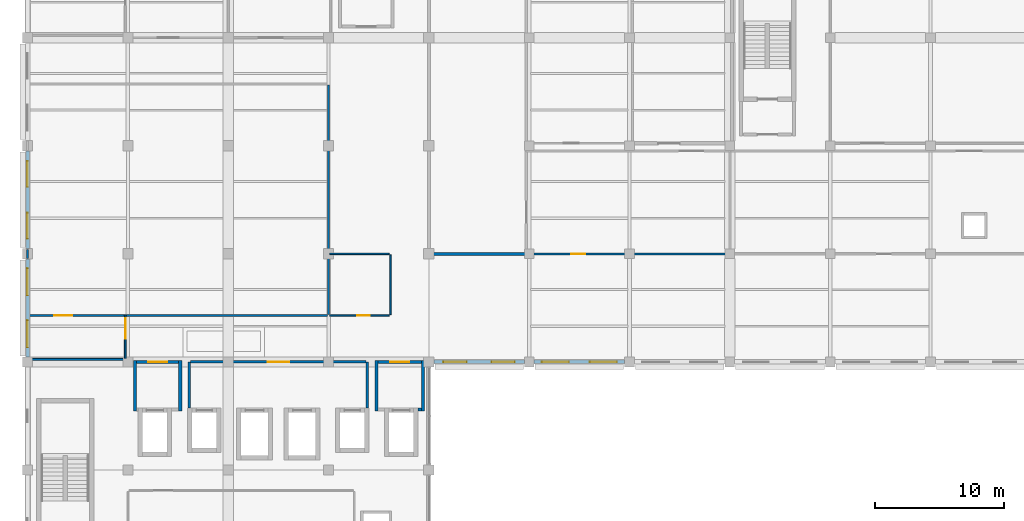
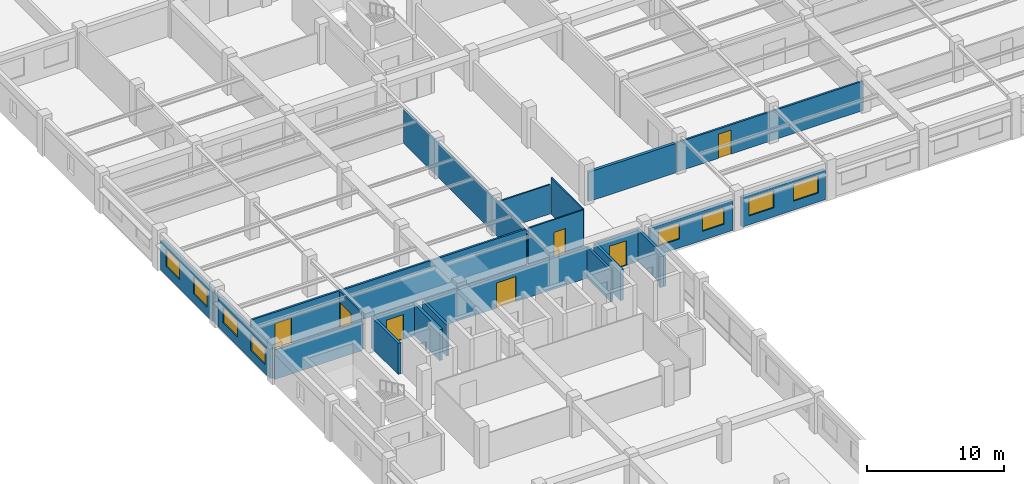
# One storey, part 37 of 50: 24 walls, 8 windows, 7 doors, 15 openings.
"""IFC4 building model written with IfcOpenShell, lengths in metres."""

from ifc_helpers import new_model, si_unit, direction, frame, frame_2d, origin, place, context, subcontext, project, spatial, rectangle, extrude, material, layer, layer_set, type_object, element, fill, save


model = new_model("IFC4")

# Units and contexts
model_context = context("Model", 3, precision=1e-05, world=origin(), true_north=direction((0.0, 1.0)))
body_context = subcontext(model_context, "Body", "Model", "MODEL_VIEW")
ifc_project = project(units=[si_unit("LENGTHUNIT", "METRE"), si_unit("AREAUNIT", "SQUARE_METRE"), si_unit("VOLUMEUNIT", "CUBIC_METRE"), si_unit("PLANEANGLEUNIT", "RADIAN"), si_unit("MASSUNIT", "GRAM", prefix="KILO"), si_unit("THERMODYNAMICTEMPERATUREUNIT", "KELVIN"), si_unit("POWERUNIT", "WATT")], contexts=[model_context])

# Site, building, storey
site_placement = place(None, origin())
site = spatial("IfcSite", under=ifc_project, at=site_placement, CompositionType="ELEMENT")
building_placement = place(site_placement, origin())
building = spatial("IfcBuilding", under=site, at=building_placement, Name="Srebrne Nadtorze General Hospital", CompositionType="ELEMENT")
storey_placement = place(building_placement, frame((0.0, 0.0, 14.39990234375)))
storey = spatial("IfcBuildingStorey", under=building, at=storey_placement, Name="L03", CompositionType="ELEMENT", Elevation=14.39990234375)

# Wall, opening, door
ifc_material_1 = material(Name="Gypsum Healthcare Partition")
ifc_layer_1 = layer(ifc_material_1, 0.139892578125)
ifc_layer_set_1 = layer_set([ifc_layer_1], Name="Gypsum Healthcare Partition")
wall_type_1 = type_object("IfcWallType", Name="Clinical partition 140", PredefinedType="PARTITIONING", material=ifc_layer_set_1)
wall_1_placement = place(storey_placement, frame((31.0, 50.68505859375, 0.0), z_axis=(0.0, 0.0, 1.0), x_axis=(0.0, 1.0, 0.0)))
wall_1 = element("IfcWall", 1, at=wall_1_placement, inside=storey, type_object=wall_type_1, Name="Clinical Toxicology and Pharmacology Lab wall WL-INT-L03-1644", PredefinedType="PARTITIONING", context=body_context, shape_type="SweptSolid", body=[
    extrude(rectangle(XDim=3.3798828125, YDim=0.139892578125, at=frame_2d((1.68994140625, 0.0))), origin(), (0.0, 0.0, 1.0), 3.25),
])
opening_1_placement = place(wall_1_placement, frame((1.530029296875, 0.0, 0.0)))
opening_1 = element("IfcOpeningElement", 2, at=opening_1_placement, cuts=wall_1, Name="Opening D-L03-0277", PredefinedType="OPENING", context=body_context, shape_type="SweptSolid", body=[
    extrude(rectangle(XDim=1.60009765625, YDim=2.25, at=frame_2d((0.800048828125, 1.125))), frame((0.0, 0.08203125, 0.0), z_axis=(0.0, -1.0, 0.0), x_axis=(1.0, 0.0, 0.0)), (0.0, 0.0, 1.0), 0.163818359375),
])
ifc_material_2 = material(Name="Anodised Aluminium", Category="aluminium")
door_type_1 = type_object("IfcDoorType", Name="Double leaf door 1600x2250", OperationType="DOUBLE_DOOR_SINGLE_SWING", PredefinedType="DOOR", material=ifc_material_2)
door_1_placement = place(opening_1_placement, origin())
door_1 = element("IfcDoor", 3, at=door_1_placement, inside=storey, type_object=door_type_1, Name="Clinical Toxicology and Pharmacology Lab door D-L03-0277", OperationType="DOUBLE_DOOR_SINGLE_SWING", OverallHeight=2.25, OverallWidth=1.60009765625, PredefinedType="DOOR", context=body_context, shape_type="SweptSolid", body=[
    extrude(rectangle(XDim=1.60009765625, YDim=2.25, at=frame_2d((0.800048828125, 1.125))), frame((0.0, 0.02490234375, 0.0), z_axis=(0.0, -1.0, 0.0), x_axis=(1.0, 0.0, 0.0)), (0.0, 0.0, 1.0), 0.050048828125),
])
fill(opening_1, door_1)

# Wall
wall_2_placement = place(storey_placement, frame((23.485107421875, 50.60009765625, 0.0), z_axis=(0.0, 0.0, 1.0), x_axis=(1.0, 0.0, 0.0)))
element("IfcWall", 4, at=wall_2_placement, inside=storey, type_object=wall_type_1, Name="Clinical Toxicology and Pharmacology Lab wall WL-INT-L03-1645", PredefinedType="PARTITIONING", context=body_context, shape_type="SweptSolid", body=[
    extrude(rectangle(XDim=7.429931640625, YDim=0.139892578125, at=frame_2d((3.71484375, 0.0))), origin(), (0.0, 0.0, 1.0), 2.6201171875),
])

# Wall, opening, door
ifc_material_3 = material(Name="Gypsum Healthcare Partition")
ifc_layer_2 = layer(ifc_material_3, 0.159912109375)
ifc_layer_set_2 = layer_set([ifc_layer_2], Name="Gypsum Healthcare Partition")
wall_type_2 = type_object("IfcWallType", Name="Clinical partition 160", PredefinedType="PARTITIONING", material=ifc_layer_set_2)
wall_3_placement = place(storey_placement, frame((23.485107421875, 54.0, 0.0), z_axis=(0.0, 0.0, 1.0), x_axis=(1.0, 0.0, 0.0)))
wall_3 = element("IfcWall", 5, at=wall_3_placement, inside=storey, type_object=wall_type_2, Name="Clinical Biochemistry Laboratory wall WL-INT-L03-1599", PredefinedType="PARTITIONING", context=body_context, shape_type="SweptSolid", body=[
    extrude(rectangle(XDim=23.22998046875, YDim=0.159912109375, at=frame_2d((11.614990234375, 0.0))), origin(), (0.0, 0.0, 1.0), 3.25),
])
opening_2_placement = place(wall_3_placement, frame((1.998291015625, 0.0, 0.0)))
opening_2 = element("IfcOpeningElement", 6, at=opening_2_placement, cuts=wall_3, Name="Opening D-L03-0264", PredefinedType="OPENING", context=body_context, shape_type="SweptSolid", body=[
    extrude(rectangle(XDim=1.39990234375, YDim=2.25, at=frame_2d((0.699951171875, 1.125))), frame((0.0, 0.091796875, 0.0), z_axis=(0.0, -1.0, 0.0), x_axis=(1.0, 0.0, 0.0)), (0.0, 0.0, 1.0), 0.183837890625),
])
ifc_material_4 = material(Name="Anodised Aluminium", Category="aluminium")
door_type_2 = type_object("IfcDoorType", Name="Single leaf door 1400x2250", OperationType="NOTDEFINED", PredefinedType="DOOR", material=ifc_material_4)
door_2_placement = place(opening_2_placement, origin())
door_2 = element("IfcDoor", 7, at=door_2_placement, inside=storey, type_object=door_type_2, Name="Clinical Biochemistry Laboratory door D-L03-0264", OperationType="SINGLE_SWING_LEFT", OverallHeight=2.25, OverallWidth=1.39990234375, PredefinedType="DOOR", context=body_context, shape_type="SweptSolid", body=[
    extrude(rectangle(XDim=1.39990234375, YDim=2.25, at=frame_2d((0.699951171875, 1.125))), frame((0.0, 0.02490234375, 0.0), z_axis=(0.0, -1.0, 0.0), x_axis=(1.0, 0.0, 0.0)), (0.0, 0.0, 1.0), 0.050048828125),
])
fill(opening_2, door_2)

# Walls
wall_4_placement = place(storey_placement, frame((23.39990234375, 58.43994140625, 0.0), z_axis=(0.0, 0.0, 1.0), x_axis=(0.0, 1.0, 0.0)))
element("IfcWall", 8, at=wall_4_placement, inside=storey, type_object=wall_type_2, Name="Clinical Biochemistry Laboratory wall WL-INT-L03-1601", PredefinedType="PARTITIONING", context=body_context, shape_type="SweptSolid", body=[
    extrude(rectangle(XDim=0.719970703125, YDim=0.159912109375, at=frame_2d((0.35986328125, 0.0))), origin(), (0.0, 0.0, 1.0), 2.6201171875),
])
wall_5_placement = place(storey_placement, frame((46.800048828125, 54.0849609375, 0.0), z_axis=(0.0, 0.0, 1.0), x_axis=(0.0, 1.0, 0.0)))
element("IfcWall", 9, at=wall_5_placement, inside=storey, type_object=wall_type_2, Name="Clinical Biochemistry Laboratory wall WL-INT-L03-1603", PredefinedType="PARTITIONING", context=body_context, shape_type="SweptSolid", body=[
    extrude(rectangle(XDim=17.830078125, YDim=0.159912109375, at=frame_2d((8.9150390625, 0.0))), origin(), (0.0, 0.0, 1.0), 3.0),
])

# Wall, opening, door
wall_6_placement = place(storey_placement, frame((62.135009765625, 58.800048828125, 0.0), z_axis=(0.0, 0.0, 1.0), x_axis=(1.0, 0.0, 0.0)))
wall_6 = element("IfcWall", 10, at=wall_6_placement, inside=storey, type_object=wall_type_2, Name="Surgical Endoscope Reprocessing Suite wall WL-INT-L03-1651", PredefinedType="PARTITIONING", context=body_context, shape_type="SweptSolid", body=[
    extrude(rectangle(XDim=15.780029296875, YDim=0.159912109375, at=frame_2d((7.89013671875, 0.0))), origin(), (0.0, 0.0, 1.0), 2.6201171875),
])
opening_3_placement = place(wall_6_placement, frame((3.5400390625, 0.0, 0.0)))
opening_3 = element("IfcOpeningElement", 11, at=opening_3_placement, cuts=wall_6, Name="Opening D-L03-0601", PredefinedType="OPENING", context=body_context, shape_type="SweptSolid", body=[
    extrude(rectangle(XDim=1.080078125, YDim=2.14990234375, at=frame_2d((0.5400390625, 1.074951171875))), frame((0.0, 0.091796875, 0.0), z_axis=(0.0, -1.0, 0.0), x_axis=(1.0, 0.0, 0.0)), (0.0, 0.0, 1.0), 0.183837890625),
])
ifc_material_5 = material(Name="Anodised Aluminium", Category="aluminium")
door_type_3 = type_object("IfcDoorType", Name="Single leaf door 1080x2150", OperationType="NOTDEFINED", PredefinedType="DOOR", material=ifc_material_5)
door_3_placement = place(opening_3_placement, origin())
door_3 = element("IfcDoor", 12, at=door_3_placement, inside=storey, type_object=door_type_3, Name="Surgical Endoscope Reprocessing Suite link door D-L03-0601", OperationType="SINGLE_SWING_LEFT", OverallHeight=2.14990234375, OverallWidth=1.080078125, PredefinedType="DOOR", context=body_context, shape_type="SweptSolid", body=[
    extrude(rectangle(XDim=1.080078125, YDim=2.14990234375, at=frame_2d((0.5400390625, 1.074951171875))), frame((0.0, 0.02490234375, 0.0), z_axis=(0.0, -1.0, 0.0), x_axis=(1.0, 0.0, 0.0)), (0.0, 0.0, 1.0), 0.050048828125),
])
fill(opening_3, door_3)

# Walls
ifc_material_6 = material(Name="Gypsum Healthcare Partition")
ifc_layer_3 = layer(ifc_material_6, 0.199951171875)
ifc_layer_set_3 = layer_set([ifc_layer_3], Name="Gypsum Healthcare Partition")
wall_type_3 = type_object("IfcWallType", Name="Compartment wall 200", PredefinedType="STANDARD", material=ifc_layer_set_3)
for number, where, z_axis, x_axis, name in (
    (13, (35.97998046875, 46.81005859375, 0.0), (0.0, 0.0, 1.0), (0.0, 1.0, 0.0), "Lift lobby side wall WL-INT-L03-1032"),
    (14, (49.820068359375, 46.81005859375, 0.0), (0.0, 0.0, 1.0), (0.0, 1.0, 0.0), "Lift lobby side wall WL-INT-L03-1033"),
):
    element("IfcWall", number, at=place(storey_placement, frame(where, z_axis=z_axis, x_axis=x_axis)), inside=storey, type_object=wall_type_3, Name=name, PredefinedType="STANDARD", context=body_context, shape_type="SweptSolid", body=[
        extrude(rectangle(XDim=3.58984375, YDim=0.199951171875, at=frame_2d((1.794921875, 0.0))), origin(), (0.0, 0.0, 1.0), 2.77001953125),
    ])

# Wall, opening, door
wall_7_placement = place(storey_placement, frame((36.080078125, 50.39990234375, 0.0), z_axis=(0.0, 0.0, 1.0), x_axis=(1.0, 0.0, 0.0)))
wall_7 = element("IfcWall", 15, at=wall_7_placement, inside=storey, type_object=wall_type_3, Name="Lift lobby corridor wall WL-INT-L03-1034", PredefinedType="STANDARD", context=body_context, shape_type="SweptSolid", body=[
    extrude(rectangle(XDim=13.639892578125, YDim=0.199951171875, at=frame_2d((6.81982421875, 0.0))), origin(), (0.0, 0.0, 1.0), 2.77001953125),
])
opening_4_placement = place(wall_7_placement, frame((5.9951171875, 0.0, 0.0)))
opening_4 = element("IfcOpeningElement", 16, at=opening_4_placement, cuts=wall_7, Name="Opening D-L03-0139", PredefinedType="OPENING", context=body_context, shape_type="SweptSolid", body=[
    extrude(rectangle(XDim=1.64990234375, YDim=2.25, at=frame_2d((0.824951171875, 1.125))), frame((0.0, 0.11181640625, 0.0), z_axis=(0.0, -1.0, 0.0), x_axis=(1.0, 0.0, 0.0)), (0.0, 0.0, 1.0), 0.223876953125),
])
ifc_material_7 = material(Name="Anodised Aluminium", Category="aluminium")
door_type_4 = type_object("IfcDoorType", Name="Double leaf door 1650x2250", OperationType="DOUBLE_DOOR_SINGLE_SWING", PredefinedType="DOOR", material=ifc_material_7)
door_4_placement = place(opening_4_placement, origin())
door_4 = element("IfcDoor", 17, at=door_4_placement, inside=storey, type_object=door_type_4, Name="Lift lobby corridor door D-L03-0139", OperationType="DOUBLE_DOOR_SINGLE_SWING", OverallHeight=2.25, OverallWidth=1.64990234375, PredefinedType="DOOR", context=body_context, shape_type="SweptSolid", body=[
    extrude(rectangle(XDim=1.64990234375, YDim=2.25, at=frame_2d((0.824951171875, 1.125))), frame((0.0, 0.02490234375, 0.0), z_axis=(0.0, -1.0, 0.0), x_axis=(1.0, 0.0, 0.0)), (0.0, 0.0, 1.0), 0.050048828125),
])
fill(opening_4, door_4)

# Walls
ifc_material_8 = material(Name="Gypsum Healthcare Partition")
ifc_layer_4 = layer(ifc_material_8, 0.239990234375)
ifc_layer_set_4 = layer_set([ifc_layer_4], Name="Gypsum Healthcare Partition")
wall_type_4 = type_object("IfcWallType", Name="Corridor fire wall 240", PredefinedType="STANDARD", material=ifc_layer_set_4)
for number, where, z_axis, x_axis, name in (
    (18, (31.760009765625, 46.570068359375, 0.0), (0.0, 0.0, 1.0), (0.0, 1.0, 0.0), "FF lift lobby wall WL-INT-L03-1022"),
    (19, (35.27001953125, 46.570068359375, 0.0), (0.0, 0.0, 1.0), (0.0, 1.0, 0.0), "FF lift lobby wall WL-INT-L03-1023"),
):
    element("IfcWall", number, at=place(storey_placement, frame(where, z_axis=z_axis, x_axis=x_axis)), inside=storey, type_object=wall_type_4, Name=name, PredefinedType="STANDARD", context=body_context, shape_type="SweptSolid", body=[
        extrude(rectangle(XDim=3.949951171875, YDim=0.239990234375, at=frame_2d((1.97509765625, 0.0))), origin(), (0.0, 0.0, 1.0), 2.77001953125),
    ])

# Wall, opening, door
wall_8_placement = place(storey_placement, frame((31.8798828125, 50.39990234375, 0.0), z_axis=(0.0, 0.0, 1.0), x_axis=(1.0, 0.0, 0.0)))
wall_8 = element("IfcWall", 20, at=wall_8_placement, inside=storey, type_object=wall_type_4, Name="FF lift lobby front wall WL-INT-L03-1026", PredefinedType="STANDARD", context=body_context, shape_type="SweptSolid", body=[
    extrude(rectangle(XDim=3.27001953125, YDim=0.239990234375, at=frame_2d((1.635009765625, 0.0))), origin(), (0.0, 0.0, 1.0), 2.77001953125),
])
opening_5_placement = place(wall_8_placement, frame((0.909912109375, 0.0, 0.0)))
opening_5 = element("IfcOpeningElement", 21, at=opening_5_placement, cuts=wall_8, Name="Opening D-L03-0137", PredefinedType="OPENING", context=body_context, shape_type="SweptSolid", body=[
    extrude(rectangle(XDim=1.449951171875, YDim=2.199951171875, at=frame_2d((0.72509765625, 1.10009765625))), frame((0.0, 0.1318359375, 0.0), z_axis=(0.0, -1.0, 0.0), x_axis=(1.0, 0.0, 0.0)), (0.0, 0.0, 1.0), 0.263916015625),
])
ifc_material_9 = material(Name="Anodised Aluminium", Category="aluminium")
door_type_5 = type_object("IfcDoorType", Name="Double leaf door 1450x2200", OperationType="DOUBLE_DOOR_SINGLE_SWING", PredefinedType="DOOR", material=ifc_material_9)
door_5_placement = place(opening_5_placement, origin())
door_5 = element("IfcDoor", 22, at=door_5_placement, inside=storey, type_object=door_type_5, Name="Firefighting lift lobby door D-L03-0137", OperationType="DOUBLE_DOOR_SINGLE_SWING", OverallHeight=2.199951171875, OverallWidth=1.449951171875, PredefinedType="DOOR", context=body_context, shape_type="SweptSolid", body=[
    extrude(rectangle(XDim=1.449951171875, YDim=2.199951171875, at=frame_2d((0.72509765625, 1.10009765625))), frame((0.0, 0.02490234375, 0.0), z_axis=(0.0, -1.0, 0.0), x_axis=(1.0, 0.0, 0.0)), (0.0, 0.0, 1.0), 0.050048828125),
])
fill(opening_5, door_5)

# Walls
for number, where, z_axis, x_axis, name in (
    (23, (50.530029296875, 46.570068359375, 0.0), (0.0, 0.0, 1.0), (0.0, 1.0, 0.0), "FF lift lobby wall WL-INT-L03-1027"),
    (24, (54.139892578125, 46.570068359375, 0.0), (0.0, 0.0, 1.0), (0.0, 1.0, 0.0), "FF lift lobby wall WL-INT-L03-1028"),
):
    element("IfcWall", number, at=place(storey_placement, frame(where, z_axis=z_axis, x_axis=x_axis)), inside=storey, type_object=wall_type_4, Name=name, PredefinedType="STANDARD", context=body_context, shape_type="SweptSolid", body=[
        extrude(rectangle(XDim=3.949951171875, YDim=0.239990234375, at=frame_2d((1.97509765625, 0.0))), origin(), (0.0, 0.0, 1.0), 2.77001953125),
    ])
wall_9_placement = place(storey_placement, frame((53.75, 46.68994140625, 0.0), z_axis=(0.0, 0.0, 1.0), x_axis=(1.0, 0.0, 0.0)))
element("IfcWall", 25, at=wall_9_placement, inside=storey, type_object=wall_type_4, Name="FF lift lobby return wall WL-INT-L03-1030", PredefinedType="STANDARD", context=body_context, shape_type="SweptSolid", body=[
    extrude(rectangle(XDim=0.27001953125, YDim=0.239990234375, at=frame_2d((0.135009765625, 0.0))), origin(), (0.0, 0.0, 1.0), 2.77001953125),
])

# Wall, opening, door
wall_10_placement = place(storey_placement, frame((50.64990234375, 50.39990234375, 0.0), z_axis=(0.0, 0.0, 1.0), x_axis=(1.0, 0.0, 0.0)))
wall_10 = element("IfcWall", 26, at=wall_10_placement, inside=storey, type_object=wall_type_4, Name="FF lift lobby front wall WL-INT-L03-1031", PredefinedType="STANDARD", context=body_context, shape_type="SweptSolid", body=[
    extrude(rectangle(XDim=3.3701171875, YDim=0.239990234375, at=frame_2d((1.68505859375, 0.0))), origin(), (0.0, 0.0, 1.0), 2.77001953125),
])
opening_6_placement = place(wall_10_placement, frame((0.9599609375, 0.0, 0.0)))
opening_6 = element("IfcOpeningElement", 27, at=opening_6_placement, cuts=wall_10, Name="Opening D-L03-0138", PredefinedType="OPENING", context=body_context, shape_type="SweptSolid", body=[
    extrude(rectangle(XDim=1.449951171875, YDim=2.199951171875, at=frame_2d((0.72509765625, 1.10009765625))), frame((0.0, 0.1318359375, 0.0), z_axis=(0.0, -1.0, 0.0), x_axis=(1.0, 0.0, 0.0)), (0.0, 0.0, 1.0), 0.263916015625),
])
door_6_placement = place(opening_6_placement, origin())
door_6 = element("IfcDoor", 28, at=door_6_placement, inside=storey, type_object=door_type_5, Name="Firefighting lift lobby door D-L03-0138", OperationType="DOUBLE_DOOR_SINGLE_SWING", OverallHeight=2.199951171875, OverallWidth=1.449951171875, PredefinedType="DOOR", context=body_context, shape_type="SweptSolid", body=[
    extrude(rectangle(XDim=1.449951171875, YDim=2.199951171875, at=frame_2d((0.72509765625, 1.10009765625))), frame((0.0, 0.02490234375, 0.0), z_axis=(0.0, -1.0, 0.0), x_axis=(1.0, 0.0, 0.0)), (0.0, 0.0, 1.0), 0.050048828125),
])
fill(opening_6, door_6)

# Wall
wall_11_placement = place(storey_placement, frame((54.7099609375, 58.800048828125, 0.0), z_axis=(0.0, 0.0, 1.0), x_axis=(1.0, 0.0, 0.0)))
element("IfcWall", 29, at=wall_11_placement, inside=storey, type_object=wall_type_4, Name="Sterile Autoclave Preparation Suite wall WL-INT-L03-1596", PredefinedType="STANDARD", context=body_context, shape_type="SweptSolid", body=[
    extrude(rectangle(XDim=7.380126953125, YDim=0.239990234375, at=frame_2d((3.68994140625, 0.0))), origin(), (0.0, 0.0, 1.0), 2.6201171875),
])

# Wall, opening, door
ifc_material_10 = material(Name="Gypsum Healthcare Partition")
ifc_layer_5 = layer(ifc_material_10, 0.1201171875)
ifc_layer_set_5 = layer_set([ifc_layer_5], Name="Gypsum Healthcare Partition")
wall_type_5 = type_object("IfcWallType", Name="En-suite partition 120", PredefinedType="PARTITIONING", material=ifc_layer_set_5)
wall_12_placement = place(storey_placement, frame((46.885009765625, 54.0, 0.0), z_axis=(0.0, 0.0, 1.0), x_axis=(1.0, 0.0, 0.0)))
wall_12 = element("IfcWall", 30, at=wall_12_placement, inside=storey, type_object=wall_type_5, Name="Accessible WC wall WL-INT-L03-1668", PredefinedType="PARTITIONING", context=body_context, shape_type="SweptSolid", body=[
    extrude(rectangle(XDim=4.6298828125, YDim=0.1201171875, at=frame_2d((2.31494140625, 0.0))), origin(), (0.0, 0.0, 1.0), 3.25),
])
opening_7_placement = place(wall_12_placement, frame((2.152099609375, 0.0, 0.0)))
opening_7 = element("IfcOpeningElement", 31, at=opening_7_placement, cuts=wall_12, Name="Opening D-L03-0284", PredefinedType="OPENING", context=body_context, shape_type="SweptSolid", body=[
    extrude(rectangle(XDim=0.9599609375, YDim=2.1201171875, at=frame_2d((0.47998046875, 1.06005859375))), frame((0.0, 0.072021484375, 0.0), z_axis=(0.0, -1.0, 0.0), x_axis=(1.0, 0.0, 0.0)), (0.0, 0.0, 1.0), 0.14404296875),
])
ifc_material_11 = material(Name="Anodised Aluminium", Category="aluminium")
door_type_6 = type_object("IfcDoorType", Name="Single leaf door 960x2120", OperationType="NOTDEFINED", PredefinedType="DOOR", material=ifc_material_11)
door_7_placement = place(opening_7_placement, origin())
door_7 = element("IfcDoor", 32, at=door_7_placement, inside=storey, type_object=door_type_6, Name="Accessible WC door D-L03-0284", OperationType="SINGLE_SWING_RIGHT", OverallHeight=2.1201171875, OverallWidth=0.9599609375, PredefinedType="DOOR", context=body_context, shape_type="SweptSolid", body=[
    extrude(rectangle(XDim=0.9599609375, YDim=2.1201171875, at=frame_2d((0.47998046875, 1.06005859375))), frame((0.0, 0.02490234375, 0.0), z_axis=(0.0, -1.0, 0.0), x_axis=(1.0, 0.0, 0.0)), (0.0, 0.0, 1.0), 0.050048828125),
])
fill(opening_7, door_7)

# Walls
wall_13_placement = place(storey_placement, frame((46.885009765625, 58.800048828125, 0.0), z_axis=(0.0, 0.0, 1.0), x_axis=(1.0, 0.0, 0.0)))
element("IfcWall", 33, at=wall_13_placement, inside=storey, type_object=wall_type_5, Name="Accessible WC wall WL-INT-L03-1669", PredefinedType="PARTITIONING", context=body_context, shape_type="SweptSolid", body=[
    extrude(rectangle(XDim=4.6298828125, YDim=0.1201171875, at=frame_2d((2.31494140625, 0.0))), origin(), (0.0, 0.0, 1.0), 2.6201171875),
])
wall_14_placement = place(storey_placement, frame((51.60009765625, 54.0849609375, 0.0), z_axis=(0.0, 0.0, 1.0), x_axis=(0.0, 1.0, 0.0)))
element("IfcWall", 34, at=wall_14_placement, inside=storey, type_object=wall_type_5, Name="Accessible WC wall WL-INT-L03-1670", PredefinedType="PARTITIONING", context=body_context, shape_type="SweptSolid", body=[
    extrude(rectangle(XDim=4.630126953125, YDim=0.1201171875, at=frame_2d((2.31494140625, 0.0))), origin(), (0.0, 0.0, 1.0), 3.25),
])

# Wall, openings, windows
ifc_material_12 = material(Name="Concrete C35/45 precast", Category="concrete")
ifc_layer_6 = layer(ifc_material_12, 0.260009765625)
ifc_layer_set_6 = layer_set([ifc_layer_6], Name="Concrete C35/45 precast")
wall_type_6 = type_object("IfcWallType", Name="Spandrel wall 260", PredefinedType="STANDARD", material=ifc_layer_set_6)
wall_15_placement = place(storey_placement, frame((23.39990234375, 50.800048828125, 0.0), z_axis=(0.0, 0.0, 1.0), x_axis=(0.0, 1.0, 0.0)))
wall_15 = element("IfcWall", 35, at=wall_15_placement, inside=storey, type_object=wall_type_6, Name="Exterior wall WL-ENV-L03-0320", PredefinedType="STANDARD", context=body_context, shape_type="SweptSolid", body=[
    extrude(rectangle(XDim=7.599853515625, YDim=0.260009765625, at=frame_2d((3.7998046875, 0.0))), origin(), (0.0, 0.0, 1.0), 2.6201171875),
])
opening_8_placement = place(wall_15_placement, frame((0.73388671875, 0.0, 0.800048828125)))
opening_8 = element("IfcOpeningElement", 36, at=opening_8_placement, cuts=wall_15, Name="Opening WN-L03-0457", PredefinedType="OPENING", context=body_context, shape_type="SweptSolid", body=[
    extrude(rectangle(XDim=2.10009765625, YDim=1.449951171875, at=frame_2d((1.050048828125, 0.72509765625))), frame((0.0, 0.14208984375, 0.0), z_axis=(0.0, -1.0, 0.0), x_axis=(1.0, 0.0, 0.0)), (0.0, 0.0, 1.0), 0.283935546875),
])
opening_9_placement = place(wall_15_placement, frame((4.76611328125, 0.0, 0.800048828125)))
opening_9 = element("IfcOpeningElement", 37, at=opening_9_placement, cuts=wall_15, Name="Opening WN-L03-0458", PredefinedType="OPENING", context=body_context, shape_type="SweptSolid", body=[
    extrude(rectangle(XDim=2.10009765625, YDim=1.449951171875, at=frame_2d((1.050048828125, 0.72509765625))), frame((0.0, 0.14208984375, 0.0), z_axis=(0.0, -1.0, 0.0), x_axis=(1.0, 0.0, 0.0)), (0.0, 0.0, 1.0), 0.283935546875),
])
ifc_material_13 = material(Name="Triple Low-E Glazing", Category="glass")
window_type_1 = type_object("IfcWindowType", Name="Punched clinical window 2100x1450", PartitioningType="DOUBLE_PANEL_VERTICAL", PredefinedType="WINDOW", material=ifc_material_13)
window_1_placement = place(opening_8_placement, origin())
window_1 = element("IfcWindow", 38, at=window_1_placement, inside=storey, type_object=window_type_1, Name="Clinical window WN-L03-0457", OverallHeight=1.449951171875, OverallWidth=2.10009765625, PartitioningType="DOUBLE_PANEL_VERTICAL", PredefinedType="WINDOW", context=body_context, shape_type="SweptSolid", body=[
    extrude(rectangle(XDim=2.10009765625, YDim=1.449951171875, at=frame_2d((1.050048828125, 0.72509765625))), frame((0.0, 0.030029296875, 0.0), z_axis=(0.0, -1.0, 0.0), x_axis=(1.0, 0.0, 0.0)), (0.0, 0.0, 1.0), 0.06005859375),
])
fill(opening_8, window_1)
window_2_placement = place(opening_9_placement, origin())
window_2 = element("IfcWindow", 39, at=window_2_placement, inside=storey, type_object=window_type_1, Name="Clinical window WN-L03-0458", OverallHeight=1.449951171875, OverallWidth=2.10009765625, PartitioningType="DOUBLE_PANEL_VERTICAL", PredefinedType="WINDOW", context=body_context, shape_type="SweptSolid", body=[
    extrude(rectangle(XDim=2.10009765625, YDim=1.449951171875, at=frame_2d((1.050048828125, 0.72509765625))), frame((0.0, 0.030029296875, 0.0), z_axis=(0.0, -1.0, 0.0), x_axis=(1.0, 0.0, 0.0)), (0.0, 0.0, 1.0), 0.06005859375),
])
fill(opening_9, window_2)

wall_16_placement = place(storey_placement, frame((23.39990234375, 59.199951171875, 0.0), z_axis=(0.0, 0.0, 1.0), x_axis=(0.0, 1.0, 0.0)))
wall_16 = element("IfcWall", 40, at=wall_16_placement, inside=storey, type_object=wall_type_6, Name="Exterior wall WL-ENV-L03-0321", PredefinedType="STANDARD", context=body_context, shape_type="SweptSolid", body=[
    extrude(rectangle(XDim=7.60009765625, YDim=0.260009765625, at=frame_2d((3.800048828125, 0.0))), origin(), (0.0, 0.0, 1.0), 2.6201171875),
])
opening_10_placement = place(wall_16_placement, frame((0.783935546875, 0.0, 0.800048828125)))
opening_10 = element("IfcOpeningElement", 41, at=opening_10_placement, cuts=wall_16, Name="Opening WN-L03-0459", PredefinedType="OPENING", context=body_context, shape_type="SweptSolid", body=[
    extrude(rectangle(XDim=2.0, YDim=1.550048828125, at=frame_2d((1.0, 0.77490234375))), frame((0.0, 0.14208984375, 0.0), z_axis=(0.0, -1.0, 0.0), x_axis=(1.0, 0.0, 0.0)), (0.0, 0.0, 1.0), 0.283935546875),
])
opening_11_placement = place(wall_16_placement, frame((4.81591796875, 0.0, 0.800048828125)))
opening_11 = element("IfcOpeningElement", 42, at=opening_11_placement, cuts=wall_16, Name="Opening WN-L03-0460", PredefinedType="OPENING", context=body_context, shape_type="SweptSolid", body=[
    extrude(rectangle(XDim=2.0, YDim=1.550048828125, at=frame_2d((1.0, 0.77490234375))), frame((0.0, 0.14208984375, 0.0), z_axis=(0.0, -1.0, 0.0), x_axis=(1.0, 0.0, 0.0)), (0.0, 0.0, 1.0), 0.283935546875),
])
ifc_material_14 = material(Name="Triple Low-E Glazing", Category="glass")
window_type_2 = type_object("IfcWindowType", Name="Punched clinical window 2000x1550", PartitioningType="DOUBLE_PANEL_VERTICAL", PredefinedType="WINDOW", material=ifc_material_14)
window_3_placement = place(opening_10_placement, origin())
window_3 = element("IfcWindow", 43, at=window_3_placement, inside=storey, type_object=window_type_2, Name="Clinical window WN-L03-0459", OverallHeight=1.550048828125, OverallWidth=2.0, PartitioningType="DOUBLE_PANEL_VERTICAL", PredefinedType="WINDOW", context=body_context, shape_type="SweptSolid", body=[
    extrude(rectangle(XDim=2.0, YDim=1.550048828125, at=frame_2d((1.0, 0.77490234375))), frame((0.0, 0.030029296875, 0.0), z_axis=(0.0, -1.0, 0.0), x_axis=(1.0, 0.0, 0.0)), (0.0, 0.0, 1.0), 0.06005859375),
])
fill(opening_10, window_3)
window_4_placement = place(opening_11_placement, origin())
window_4 = element("IfcWindow", 44, at=window_4_placement, inside=storey, type_object=window_type_2, Name="Clinical window WN-L03-0460", OverallHeight=1.550048828125, OverallWidth=2.0, PartitioningType="DOUBLE_PANEL_VERTICAL", PredefinedType="WINDOW", context=body_context, shape_type="SweptSolid", body=[
    extrude(rectangle(XDim=2.0, YDim=1.550048828125, at=frame_2d((1.0, 0.77490234375))), frame((0.0, 0.030029296875, 0.0), z_axis=(0.0, -1.0, 0.0), x_axis=(1.0, 0.0, 0.0)), (0.0, 0.0, 1.0), 0.06005859375),
])
fill(opening_11, window_4)

ifc_material_15 = material(Name="Concrete C35/45 precast", Category="concrete")
ifc_layer_7 = layer(ifc_material_15, 0.280029296875)
ifc_layer_set_7 = layer_set([ifc_layer_7], Name="Concrete C35/45 precast")
wall_type_7 = type_object("IfcWallType", Name="Spandrel wall 280", PredefinedType="STANDARD", material=ifc_layer_set_7)
wall_17_placement = place(storey_placement, frame((55.0, 50.39990234375, 0.0), z_axis=(0.0, 0.0, 1.0), x_axis=(1.0, 0.0, 0.0)))
wall_17 = element("IfcWall", 45, at=wall_17_placement, inside=storey, type_object=wall_type_7, Name="Exterior wall WL-ENV-L03-0292", PredefinedType="STANDARD", context=body_context, shape_type="SweptSolid", body=[
    extrude(rectangle(XDim=7.02490234375, YDim=0.280029296875, at=frame_2d((3.512451171875, 0.0))), origin(), (0.0, 0.0, 1.0), 2.6201171875),
])
opening_12_placement = place(wall_17_placement, frame((0.72802734375, 0.0, 0.800048828125)))
opening_12 = element("IfcOpeningElement", 46, at=opening_12_placement, cuts=wall_17, Name="Opening WN-L03-0411", PredefinedType="OPENING", context=body_context, shape_type="SweptSolid", body=[
    extrude(rectangle(XDim=1.800048828125, YDim=1.449951171875, at=frame_2d((0.89990234375, 0.72509765625))), frame((0.0, 0.15185546875, 0.0), z_axis=(0.0, -1.0, 0.0), x_axis=(1.0, 0.0, 0.0)), (0.0, 0.0, 1.0), 0.303955078125),
])
opening_13_placement = place(wall_17_placement, frame((4.471923828125, 0.0, 0.800048828125)))
opening_13 = element("IfcOpeningElement", 47, at=opening_13_placement, cuts=wall_17, Name="Opening WN-L03-0412", PredefinedType="OPENING", context=body_context, shape_type="SweptSolid", body=[
    extrude(rectangle(XDim=1.800048828125, YDim=1.449951171875, at=frame_2d((0.89990234375, 0.72509765625))), frame((0.0, 0.15185546875, 0.0), z_axis=(0.0, -1.0, 0.0), x_axis=(1.0, 0.0, 0.0)), (0.0, 0.0, 1.0), 0.303955078125),
])
ifc_material_16 = material(Name="Triple Low-E Glazing", Category="glass")
window_type_3 = type_object("IfcWindowType", Name="Punched clinical window 1800x1450", PartitioningType="DOUBLE_PANEL_VERTICAL", PredefinedType="WINDOW", material=ifc_material_16)
window_5_placement = place(opening_12_placement, origin())
window_5 = element("IfcWindow", 48, at=window_5_placement, inside=storey, type_object=window_type_3, Name="Clinical window WN-L03-0411", OverallHeight=1.449951171875, OverallWidth=1.800048828125, PartitioningType="DOUBLE_PANEL_VERTICAL", PredefinedType="WINDOW", context=body_context, shape_type="SweptSolid", body=[
    extrude(rectangle(XDim=1.800048828125, YDim=1.449951171875, at=frame_2d((0.89990234375, 0.72509765625))), frame((0.0, 0.030029296875, 0.0), z_axis=(0.0, -1.0, 0.0), x_axis=(1.0, 0.0, 0.0)), (0.0, 0.0, 1.0), 0.06005859375),
])
fill(opening_12, window_5)
window_6_placement = place(opening_13_placement, origin())
window_6 = element("IfcWindow", 49, at=window_6_placement, inside=storey, type_object=window_type_3, Name="Clinical window WN-L03-0412", OverallHeight=1.449951171875, OverallWidth=1.800048828125, PartitioningType="DOUBLE_PANEL_VERTICAL", PredefinedType="WINDOW", context=body_context, shape_type="SweptSolid", body=[
    extrude(rectangle(XDim=1.800048828125, YDim=1.449951171875, at=frame_2d((0.89990234375, 0.72509765625))), frame((0.0, 0.030029296875, 0.0), z_axis=(0.0, -1.0, 0.0), x_axis=(1.0, 0.0, 0.0)), (0.0, 0.0, 1.0), 0.06005859375),
])
fill(opening_13, window_6)

wall_18_placement = place(storey_placement, frame((62.77490234375, 50.39990234375, 0.0), z_axis=(0.0, 0.0, 1.0), x_axis=(1.0, 0.0, 0.0)))
wall_18 = element("IfcWall", 50, at=wall_18_placement, inside=storey, type_object=wall_type_7, Name="Exterior wall WL-ENV-L03-0293", PredefinedType="STANDARD", context=body_context, shape_type="SweptSolid", body=[
    extrude(rectangle(XDim=7.050048828125, YDim=0.280029296875, at=frame_2d((3.52490234375, 0.0))), origin(), (0.0, 0.0, 1.0), 2.6201171875),
])
opening_14_placement = place(wall_18_placement, frame((0.60302734375, 0.0, 0.800048828125)))
opening_14 = element("IfcOpeningElement", 51, at=opening_14_placement, cuts=wall_18, Name="Opening WN-L03-0413", PredefinedType="OPENING", context=body_context, shape_type="SweptSolid", body=[
    extrude(rectangle(XDim=2.10009765625, YDim=1.550048828125, at=frame_2d((1.050048828125, 0.77490234375))), frame((0.0, 0.15185546875, 0.0), z_axis=(0.0, -1.0, 0.0), x_axis=(1.0, 0.0, 0.0)), (0.0, 0.0, 1.0), 0.303955078125),
])
opening_15_placement = place(wall_18_placement, frame((4.346923828125, 0.0, 0.800048828125)))
opening_15 = element("IfcOpeningElement", 52, at=opening_15_placement, cuts=wall_18, Name="Opening WN-L03-0414", PredefinedType="OPENING", context=body_context, shape_type="SweptSolid", body=[
    extrude(rectangle(XDim=2.10009765625, YDim=1.550048828125, at=frame_2d((1.050048828125, 0.77490234375))), frame((0.0, 0.15185546875, 0.0), z_axis=(0.0, -1.0, 0.0), x_axis=(1.0, 0.0, 0.0)), (0.0, 0.0, 1.0), 0.303955078125),
])
ifc_material_17 = material(Name="Triple Low-E Glazing", Category="glass")
window_type_4 = type_object("IfcWindowType", Name="Punched clinical window 2100x1550", PartitioningType="DOUBLE_PANEL_VERTICAL", PredefinedType="WINDOW", material=ifc_material_17)
window_7_placement = place(opening_14_placement, origin())
window_7 = element("IfcWindow", 53, at=window_7_placement, inside=storey, type_object=window_type_4, Name="Clinical window WN-L03-0413", OverallHeight=1.550048828125, OverallWidth=2.10009765625, PartitioningType="DOUBLE_PANEL_VERTICAL", PredefinedType="WINDOW", context=body_context, shape_type="SweptSolid", body=[
    extrude(rectangle(XDim=2.10009765625, YDim=1.550048828125, at=frame_2d((1.050048828125, 0.77490234375))), frame((0.0, 0.030029296875, 0.0), z_axis=(0.0, -1.0, 0.0), x_axis=(1.0, 0.0, 0.0)), (0.0, 0.0, 1.0), 0.06005859375),
])
fill(opening_14, window_7)
window_8_placement = place(opening_15_placement, origin())
window_8 = element("IfcWindow", 54, at=window_8_placement, inside=storey, type_object=window_type_4, Name="Clinical window WN-L03-0414", OverallHeight=1.550048828125, OverallWidth=2.10009765625, PartitioningType="DOUBLE_PANEL_VERTICAL", PredefinedType="WINDOW", context=body_context, shape_type="SweptSolid", body=[
    extrude(rectangle(XDim=2.10009765625, YDim=1.550048828125, at=frame_2d((1.050048828125, 0.77490234375))), frame((0.0, 0.030029296875, 0.0), z_axis=(0.0, -1.0, 0.0), x_axis=(1.0, 0.0, 0.0)), (0.0, 0.0, 1.0), 0.06005859375),
])
fill(opening_15, window_8)

save(model, "model.ifc")
